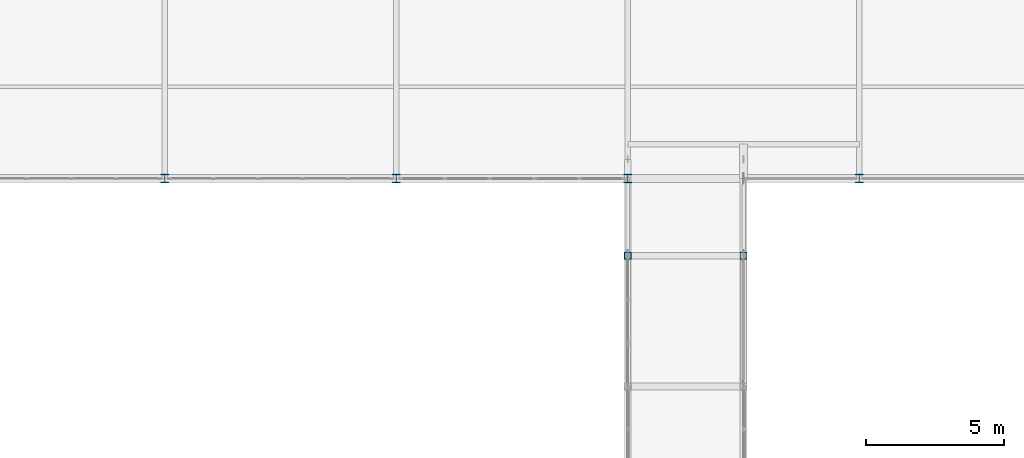
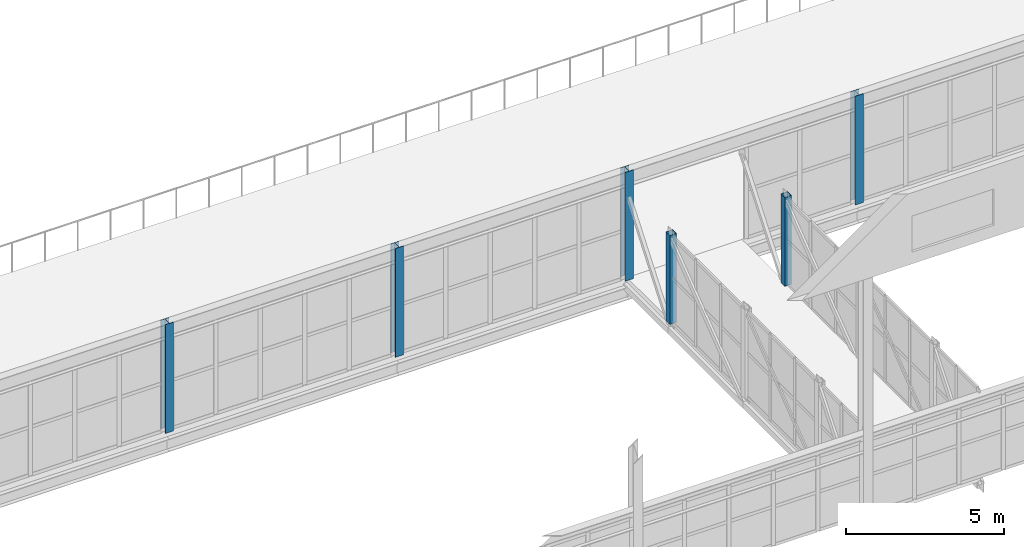
# One storey, part 13 of 218: 6 columns.
"""IFC4 building model written with IfcOpenShell, lengths in metres."""

from ifc_helpers import new_model, si_unit, direction, frame, origin, origin_2d, place, context, subcontext, project, spatial, hollow_rectangle, i_section, extrude, material, material_profile, profile_set, type_object, element, save


model = new_model("IFC4")

# Units and contexts
model_context = context("Model", 3, precision=1e-05, world=origin(), true_north=direction((0.0, 1.0)))
body_context = subcontext(model_context, "Body", "Model", "MODEL_VIEW")
ifc_project = project(units=[si_unit("LENGTHUNIT", "METRE"), si_unit("AREAUNIT", "SQUARE_METRE"), si_unit("VOLUMEUNIT", "CUBIC_METRE"), si_unit("PLANEANGLEUNIT", "RADIAN"), si_unit("MASSUNIT", "GRAM", prefix="KILO")], contexts=[model_context])

# Site, building, storey
site_placement = place(None, origin())
site = spatial("IfcSite", under=ifc_project, at=site_placement, CompositionType="ELEMENT")
building_placement = place(site_placement, origin())
building = spatial("IfcBuilding", under=site, at=building_placement, Name="Kazenagashi Tramway Depot", CompositionType="ELEMENT")
storey_placement = place(building_placement, frame((0.0, 0.0, 6.0)))
storey = spatial("IfcBuildingStorey", under=building, at=storey_placement, Name="L02", CompositionType="ELEMENT", Elevation=6.0)

# Columns
ifc_material_1 = material(Name="Steel SN490B", Category="steel")
ifc_material_profile_1 = material_profile(ifc_material_1, i_section(OverallWidth=0.3, OverallDepth=0.3, WebThickness=0.01, FlangeThickness=0.015, at=origin_2d()), Name="H-300x300x10x15")
ifc_profile_set_1 = profile_set([ifc_material_profile_1], Name="Steel SN490B")
column_type_1 = type_object("IfcColumnType", Name="C-05", PredefinedType="COLUMN", material=ifc_profile_set_1)
for number, where, z_axis, x_axis, name in (
    (1, (70.0, 70.0, 0.0), (0.0, 0.0, 1.0), (1.0, 0.0, 0.0), "Column C-05 COL-0020"),
    (2, (78.4, 70.0, 0.0), (0.0, 0.0, 1.0), (1.0, 0.0, 0.0), "Column C-05 COL-0026"),
    (3, (86.8, 70.0, 0.0), (0.0, 0.0, 1.0), (1.0, 0.0, 0.0), "Column C-05 COL-0032"),
    (4, (95.2, 70.0, 0.0), (0.0, 0.0, 1.0), (1.0, 0.0, 0.0), "Column C-05 COL-0038"),
):
    element("IfcColumn", number, at=place(storey_placement, frame(where, z_axis=z_axis, x_axis=x_axis)), inside=storey, type_object=column_type_1, Name=name, PredefinedType="COLUMN", context=body_context, shape_type="SweptSolid", body=[
        extrude(i_section(OverallWidth=0.3, OverallDepth=0.3, WebThickness=0.01, FlangeThickness=0.015, at=origin_2d()), origin(), (0.0, 0.0, 1.0), 4.2),
    ])
ifc_material_2 = material(Name="Weathering Steel SMA490W", Category="steel")
ifc_material_profile_2 = material_profile(ifc_material_2, hollow_rectangle(XDim=0.25, YDim=0.25, WallThickness=0.009, at=origin_2d()), Name="SHS-250x250x9")
ifc_profile_set_2 = profile_set([ifc_material_profile_2], Name="Weathering Steel SMA490W")
column_type_2 = type_object("IfcColumnType", Name="C-10", PredefinedType="COLUMN", material=ifc_profile_set_2)
for number, where, z_axis, x_axis, name in (
    (5, (86.8, 67.2, 0.0), (0.0, 0.0, 1.0), (1.0, 0.0, 0.0), "Column C-10 COL-0868"),
    (6, (91.0, 67.2, 0.0), (0.0, 0.0, 1.0), (1.0, 0.0, 0.0), "Column C-10 COL-0874"),
):
    element("IfcColumn", number, at=place(storey_placement, frame(where, z_axis=z_axis, x_axis=x_axis)), inside=storey, type_object=column_type_2, Name=name, PredefinedType="COLUMN", context=body_context, shape_type="SweptSolid", body=[
        extrude(hollow_rectangle(XDim=0.25, YDim=0.25, WallThickness=0.009, at=origin_2d()), origin(), (0.0, 0.0, 1.0), 3.435),
    ])

save(model, "model.ifc")
